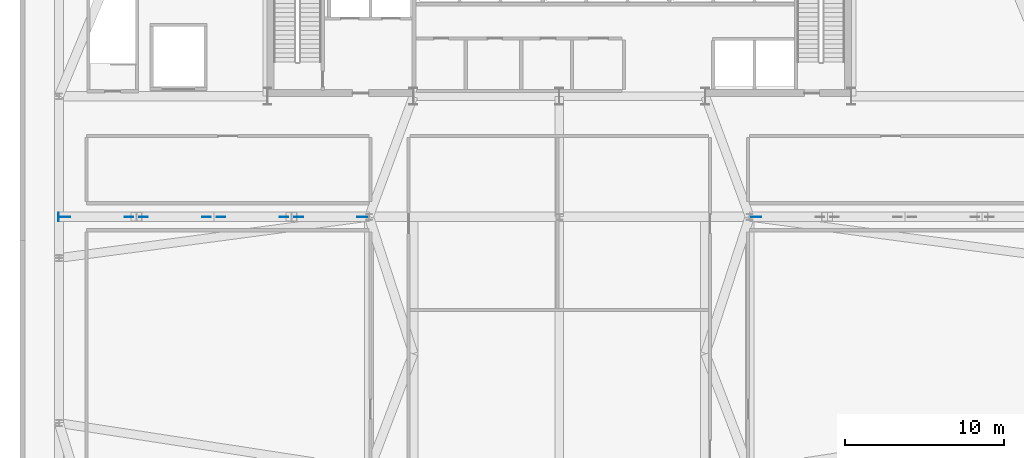
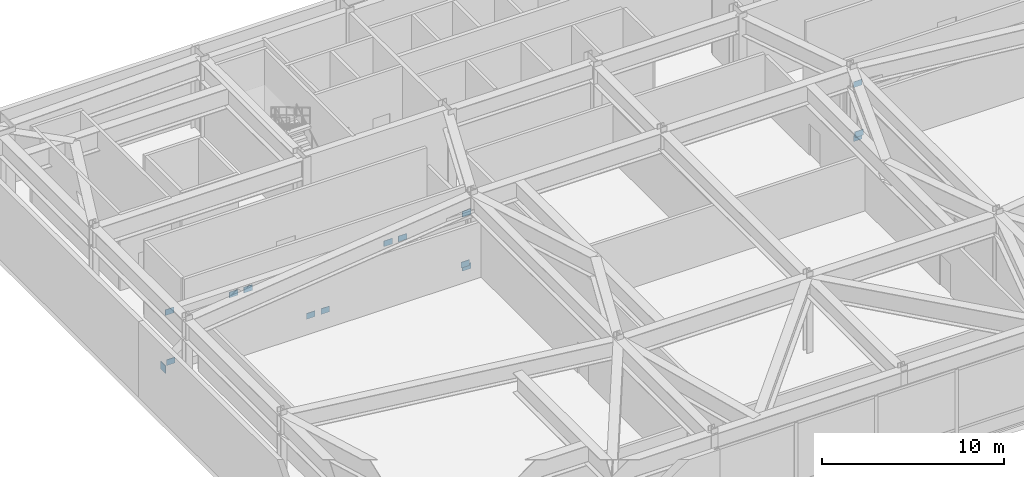
# One storey, part 10 of 16: 15 plates.
"""IFC4 building model written with IfcOpenShell, lengths in metres."""

from ifc_helpers import new_model, si_unit, direction, frame, origin, origin_2d, place, context, subcontext, project, spatial, rectangle, extrude, source, transform, mapped, material, layer, layer_set, type_object, type_shapes, element, save


model = new_model("IFC4")

# Units and contexts
model_context = context("Model", 3, precision=1e-05, world=origin(), true_north=direction((0.0, 1.0)))
body_context = subcontext(model_context, "Body", "Model", "MODEL_VIEW")
ifc_project = project(units=[si_unit("LENGTHUNIT", "METRE"), si_unit("AREAUNIT", "SQUARE_METRE"), si_unit("VOLUMEUNIT", "CUBIC_METRE"), si_unit("PLANEANGLEUNIT", "RADIAN"), si_unit("MASSUNIT", "GRAM", prefix="KILO")], contexts=[model_context])

# Site, building, storey
site_placement = place(None, origin())
site = spatial("IfcSite", under=ifc_project, at=site_placement, CompositionType="ELEMENT")
building_placement = place(site_placement, origin())
building = spatial("IfcBuilding", under=site, at=building_placement, Name="Varnel Quay Broadcast Tower", CompositionType="ELEMENT")
storey_placement = place(building_placement, frame((0.0, 0.0, 22.199951171875)))
storey = spatial("IfcBuildingStorey", under=building, at=storey_placement, Name="L04", CompositionType="ELEMENT", Elevation=22.199951171875)

# Plates
ifc_material = material(Name="Structural Steel CSA G40.21 350WT", Category="steel")
ifc_layer = layer(ifc_material, 0.031982421875, Name="Structural Steel CSA G40.21 350WT")
ifc_layer_set = layer_set([ifc_layer], Name="Structural Steel CSA G40.21 350WT")
plate_type = type_object("IfcPlateType", Name="Plate_EndCap", PredefinedType="USERDEFINED", material=ifc_layer_set)
shared_shape_1 = source(origin(), body_context, "Body", "SweptSolid", [
    extrude(rectangle(XDim=0.5400390625, YDim=0.031982421875, at=origin_2d()), origin(), (0.0, 0.0, 1.0), 0.5),
])
plate_placement = place(storey_placement, frame((2.43603515625, 28.0, 0.0), z_axis=(0.0, 0.0, 1.0), x_axis=(0.0, 1.0, 0.0)))
element("IfcPlate", 1, at=plate_placement, inside=storey, type_object=plate_type, Name="L04 Warren Bottom Chord 1 End Connection Plate P0", ObjectType="CAP_PLATE", PredefinedType="USERDEFINED", context=body_context, shape_type="MappedRepresentation", body=[
    mapped(shared_shape_1, transform((0.0, 0.0, 0.0), x_axis=(1.0, 0.0, 0.0), y_axis=(0.0, 1.0, 0.0), z_axis=(0.0, 0.0, 1.0), scale=1.0)),
])
shared_shape_2 = source(origin(), body_context, "Body", "SweptSolid", [
    extrude(rectangle(XDim=0.5400390625, YDim=0.031982421875, at=origin_2d()), origin(), (0.0, 0.0, 1.0), 0.3798828125),
])
type_shapes(plate_type, [shared_shape_1, shared_shape_2])
for number, where, z_axis, x_axis, name in (
    (2, (21.6201171875, 28.0, 0.06005859375), (0.0, 0.0, 1.0), (1.0, 0.0, 0.0), "L04 Warren Bottom Chord 1 End Connection Plate P1"),
    (3, (2.830078125, 28.0, 3.670166015625), (0.0, 0.0, 1.0), (1.0, 0.0, 0.0), "L04 Warren Top Chord 1 End Connection Plate P0"),
    (4, (21.6201171875, 28.0, 3.670166015625), (0.0, 0.0, 1.0), (1.0, 0.0, 0.0), "L04 Warren Top Chord 1 End Connection Plate P1"),
    (5, (2.908203125, 28.0, 0.295654296875), (0.0, 0.0, 1.0), (1.0, 0.0, 0.0), "L04 Warren Diag 1.1 End Connection Plate P0"),
    (6, (6.87939453125, 28.0, 3.4345703125), (0.0, 0.0, 1.0), (1.0, 0.0, 0.0), "L04 Warren Diag 1.1 End Connection Plate P1"),
    (7, (7.795654296875, 28.0, 3.4345703125), (0.0, 0.0, 1.0), (1.0, 0.0, 0.0), "L04 Warren Diag 1.2 End Connection Plate P0"),
    (8, (11.766845703125, 28.0, 0.295654296875), (0.0, 0.0, 1.0), (1.0, 0.0, 0.0), "L04 Warren Diag 1.2 End Connection Plate P1"),
    (9, (12.68310546875, 28.0, 0.295654296875), (0.0, 0.0, 1.0), (1.0, 0.0, 0.0), "L04 Warren Diag 1.3 End Connection Plate P0"),
    (10, (16.654296875, 28.0, 3.4345703125), (0.0, 0.0, 1.0), (1.0, 0.0, 0.0), "L04 Warren Diag 1.3 End Connection Plate P1"),
    (11, (17.570556640625, 28.0, 3.4345703125), (0.0, 0.0, 1.0), (1.0, 0.0, 0.0), "L04 Warren Diag 1.4 End Connection Plate P0"),
    (12, (21.5419921875, 28.0, 0.295654296875), (0.0, 0.0, 1.0), (1.0, 0.0, 0.0), "L04 Warren Diag 1.4 End Connection Plate P1"),
    (13, (46.3798828125, 28.0, 0.06005859375), (0.0, 0.0, 1.0), (1.0, 0.0, 0.0), "L04 Warren Bottom Chord 2 End Connection Plate P0"),
    (14, (46.3798828125, 28.0, 3.670166015625), (0.0, 0.0, 1.0), (1.0, 0.0, 0.0), "L04 Warren Top Chord 2 End Connection Plate P0"),
    (15, (46.4580078125, 28.0, 0.295654296875), (0.0, 0.0, 1.0), (1.0, 0.0, 0.0), "L04 Warren Diag 2.1 End Connection Plate P0"),
):
    element("IfcPlate", number, at=place(storey_placement, frame(where, z_axis=z_axis, x_axis=x_axis)), inside=storey, type_object=plate_type, Name=name, ObjectType="CAP_PLATE", PredefinedType="USERDEFINED", context=body_context, shape_type="MappedRepresentation", body=[
        mapped(shared_shape_2, transform((0.0, 0.0, 0.0), x_axis=(1.0, 0.0, 0.0), y_axis=(0.0, 1.0, 0.0), z_axis=(0.0, 0.0, 1.0), scale=1.0)),
    ])

save(model, "model.ifc")
